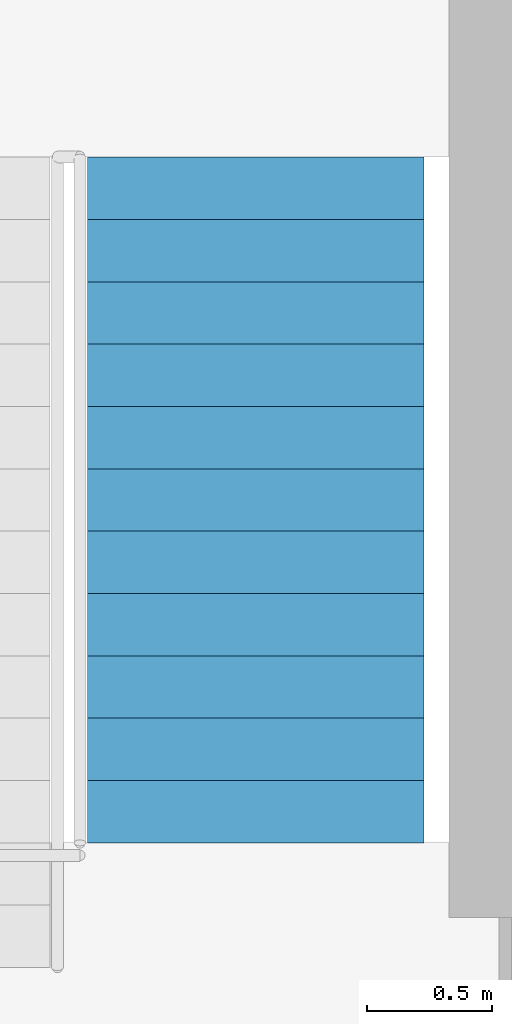
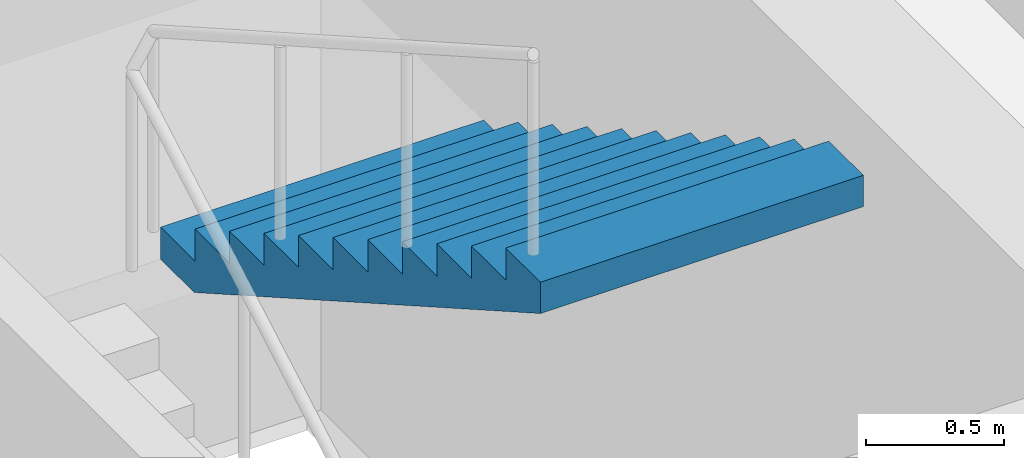
# One storey, part 10 of 11: 1 stair flight, 1 element without a shape of its own.
"""IFC4 building model written with IfcOpenShell, lengths in metres."""

from ifc_helpers import new_model, si_unit, direction, frame, origin, place, context, subcontext, project, spatial, polyline, outline, extrude, material, type_object, element, aggregate, save


model = new_model("IFC4")

# Units and contexts
model_context = context("Model", 3, precision=1e-05, world=origin(), true_north=direction((0.0, 1.0)))
body_context = subcontext(model_context, "Body", "Model", "MODEL_VIEW")
ifc_project = project(units=[si_unit("LENGTHUNIT", "METRE"), si_unit("AREAUNIT", "SQUARE_METRE"), si_unit("VOLUMEUNIT", "CUBIC_METRE"), si_unit("PLANEANGLEUNIT", "RADIAN"), si_unit("MASSUNIT", "GRAM", prefix="KILO")], contexts=[model_context])

# Site, building, storey
site_placement = place(None, origin())
site = spatial("IfcSite", under=ifc_project, at=site_placement, CompositionType="ELEMENT")
building_placement = place(site_placement, origin())
building = spatial("IfcBuilding", under=site, at=building_placement, Name="Quoin Convention Tower", CompositionType="ELEMENT")
storey_placement = place(building_placement, frame((0.0, 0.0, 104.800048828125)))
storey = spatial("IfcBuildingStorey", under=building, at=storey_placement, Name="L27", CompositionType="ELEMENT", Elevation=104.800048828125)

# Stair, stair flight
ifc_material = material(Name="Concrete C40", Category="concrete")
stair_type = type_object("IfcStairType", Name="Exit stair two-flight 1350", PredefinedType="HALF_TURN_STAIR", material=ifc_material)
stair_placement = place(storey_placement, origin())
stair = element("IfcStair", 1, at=stair_placement, inside=storey, type_object=stair_type, Name="SD2 L27", PredefinedType="HALF_TURN_STAIR")
stair_flight_type = type_object("IfcStairFlightType", Name="Stair flight 1350", PredefinedType="STRAIGHT", material=ifc_material)
stair_flight_placement = place(storey_placement, frame((66.27490234375, 60.550048828125, 1.9921875), z_axis=(0.0, 0.0, 1.0), x_axis=(0.0, -1.0, 0.0)))
stair_flight = element("IfcStairFlight", 2, at=stair_flight_placement, type_object=stair_flight_type, Name="ST2 flight 2", NumberOfRisers=12, NumberOfTreads=11, PredefinedType="STRAIGHT", RiserHeight=0.142307692, TreadLength=0.25, context=body_context, shape_type="SweptSolid", body=[
    extrude(outline(polyline([(0.0, 0.0), (0.0, 0.142333984375), (0.25, 0.142333984375), (0.25, 0.28466796875), (0.5, 0.28466796875), (0.5, 0.427001953125), (0.75, 0.427001953125), (0.75, 0.5693359375), (1.0, 0.5693359375), (1.0, 0.71142578125), (1.25, 0.71142578125), (1.25, 0.853759765625), (1.5, 0.853759765625), (1.5, 0.99609375), (1.75, 0.99609375), (1.75, 1.138427734375), (2.0, 1.138427734375), (2.0, 1.28076171875), (2.25, 1.28076171875), (2.25, 1.423095703125), (2.5, 1.423095703125), (2.5, 1.5654296875), (2.75, 1.5654296875), (2.75, 1.707763671875), (2.75, 1.42724609375), (0.242919921875, 0.0), (0.0, 0.0)])), frame((0.0, 0.675048828125, 0.0), z_axis=(0.0, -1.0, 0.0), x_axis=(1.0, 0.0, 0.0)), (0.0, 0.0, 1.0), 1.35009765625),
])
aggregate(stair, [stair_flight])

save(model, "model.ifc")
